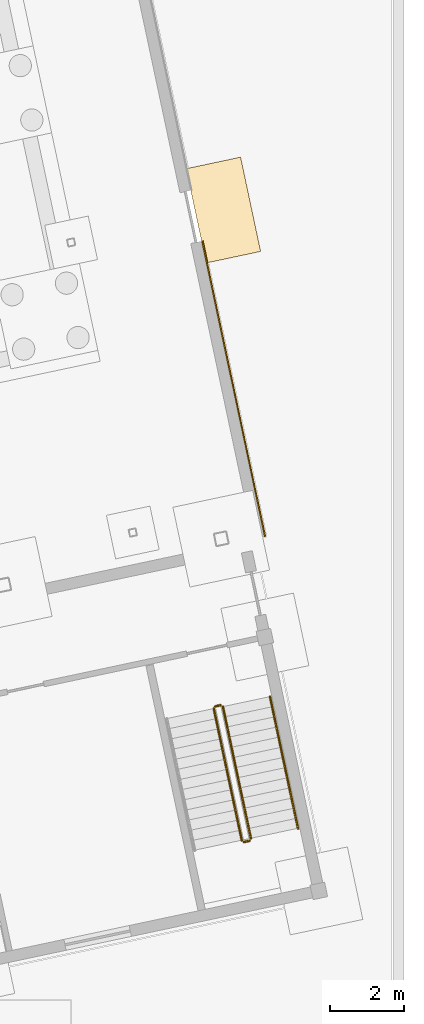
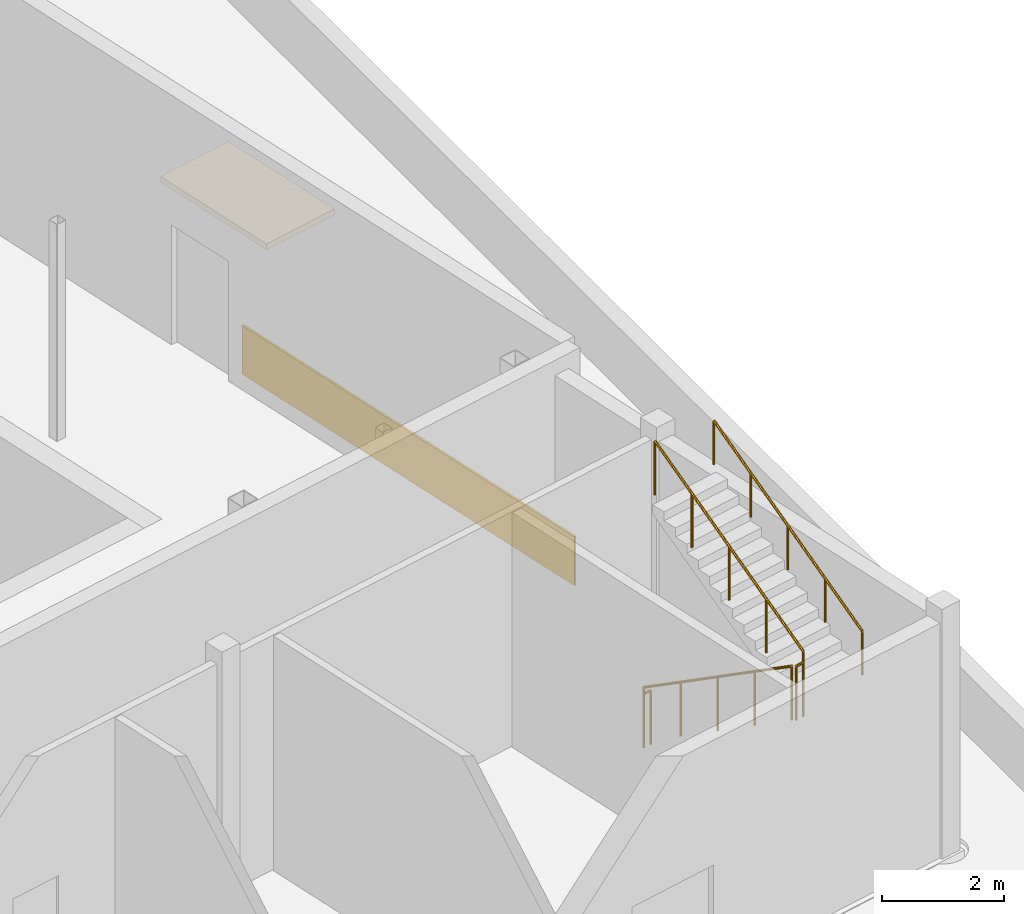
# One storey, part 148 of 157: 5 railings, 2 coverings.
"""IFC4 building model written with IfcOpenShell, lengths in metres."""

from ifc_helpers import new_model, si_unit, direction, frame, origin, origin_2d, place, context, subcontext, project, spatial, polyline, circle, outline, extrude, material, layer, layer_set, type_object, element, save


model = new_model("IFC4")

# Units and contexts
model_context = context("Model", 3, precision=1e-05, world=origin(), true_north=direction((0.0, 1.0)))
body_context = subcontext(model_context, "Body", "Model", "MODEL_VIEW")
ifc_project = project(units=[si_unit("LENGTHUNIT", "METRE"), si_unit("AREAUNIT", "SQUARE_METRE"), si_unit("VOLUMEUNIT", "CUBIC_METRE"), si_unit("PLANEANGLEUNIT", "RADIAN"), si_unit("MASSUNIT", "GRAM", prefix="KILO")], contexts=[model_context])

# Site, building, storey
site_placement = place(None, origin())
site = spatial("IfcSite", under=ifc_project, at=site_placement, CompositionType="ELEMENT")
building_placement = place(site_placement, origin())
building = spatial("IfcBuilding", under=site, at=building_placement, Name="Windward Yard Aquatics Centre", CompositionType="ELEMENT")
storey_placement = place(building_placement, origin())
storey = spatial("IfcBuildingStorey", under=building, at=storey_placement, Name="L00", CompositionType="ELEMENT", Elevation=0.0)

# Railings
ifc_material_1 = material(Name="Stainless steel 1.4529", Category="steel")
railing_type_1 = type_object("IfcRailingType", Name="D Annex stair stair guard", PredefinedType="GUARDRAIL", material=ifc_material_1)
railing_1_placement = place(storey_placement, frame((198.86865234375, 44.8642578125, 0.178466796875)))
element("IfcRailing", 1, at=railing_1_placement, inside=storey, type_object=railing_type_1, Name="L00 D-ST1 stair guard 1", PredefinedType="GUARDRAIL", context=body_context, shape_type="SweptSolid", body=[
    extrude(circle(Radius=0.02392578125, at=origin_2d()), frame((0.0, 0.0, 1.076171875), z_axis=(0.175307802642, -0.82468183417, 0.537742546878), x_axis=(0.978143676638, 0.20793015138, 0.0)), (0.0, 0.0, 1.0), 4.317138671875),
    extrude(circle(Radius=0.02099609375, at=origin_2d()), origin(), (0.0, 0.0, 1.0), 1.052001953125),
    extrude(circle(Radius=0.02099609375, at=origin_2d()), frame((0.189208984375, -0.89013671875, 0.580322265625)), (0.0, 0.0, 1.0), 1.052001953125),
    extrude(circle(Radius=0.02099609375, at=origin_2d()), frame((0.37841796875, -1.7802734375, 1.16064453125)), (0.0, 0.0, 1.0), 1.052001953125),
    extrude(circle(Radius=0.02099609375, at=origin_2d()), frame((0.567626953125, -2.670166015625, 1.7412109375)), (0.0, 0.0, 1.0), 1.052001953125),
    extrude(circle(Radius=0.02099609375, at=origin_2d()), frame((0.7568359375, -3.560302734375, 2.321533203125)), (0.0, 0.0, 1.0), 1.052001953125),
])
railing_2_placement = place(storey_placement, frame((199.684814453125, 41.265380859375, 2.5)))
element("IfcRailing", 2, at=railing_2_placement, inside=storey, type_object=railing_type_1, Name="L00 D-ST1 stair guard 2", PredefinedType="GUARDRAIL", context=body_context, shape_type="SweptSolid", body=[
    extrude(circle(Radius=0.02392578125, at=origin_2d()), frame((0.0, 0.0, 1.076171875), z_axis=(0.978063620518, 0.208306395052, 0.0), x_axis=(-0.208306395052, 0.978063620518, 0.0)), (0.0, 0.0, 1.0), 0.14990234375),
    extrude(circle(Radius=0.02099609375, at=origin_2d()), origin(), (0.0, 0.0, 1.0), 1.052001953125),
    extrude(circle(Radius=0.02099609375, at=origin_2d()), frame((0.146728515625, 0.03125, 0.0)), (0.0, 0.0, 1.0), 1.052001953125),
])
railing_3_placement = place(storey_placement, frame((199.8701171875, 41.35595703125, 2.678466796875)))
element("IfcRailing", 3, at=railing_3_placement, inside=storey, type_object=railing_type_1, Name="L00 D-ST1 stair guard 3", PredefinedType="GUARDRAIL", context=body_context, shape_type="SweptSolid", body=[
    extrude(circle(Radius=0.02392578125, at=origin_2d()), frame((0.0, 0.0, 1.076171875), z_axis=(-0.175307802642, 0.82468183417, 0.537742546878), x_axis=(-0.978143676638, -0.20793015138, 0.0)), (0.0, 0.0, 1.0), 4.317138671875),
    extrude(circle(Radius=0.02099609375, at=origin_2d()), origin(), (0.0, 0.0, 1.0), 1.052001953125),
    extrude(circle(Radius=0.02099609375, at=origin_2d()), frame((-0.189208984375, 0.89013671875, 0.580322265625)), (0.0, 0.0, 1.0), 1.052001953125),
    extrude(circle(Radius=0.02099609375, at=origin_2d()), frame((-0.37841796875, 1.7802734375, 1.16064453125)), (0.0, 0.0, 1.0), 1.052001953125),
    extrude(circle(Radius=0.02099609375, at=origin_2d()), frame((-0.567626953125, 2.670166015625, 1.7412109375)), (0.0, 0.0, 1.0), 1.052001953125),
    extrude(circle(Radius=0.02099609375, at=origin_2d()), frame((-0.7568359375, 3.560302734375, 2.321533203125)), (0.0, 0.0, 1.0), 1.052001953125),
])
railing_4_placement = place(storey_placement, frame((198.9072265625, 44.923583984375, 0.0)))
element("IfcRailing", 4, at=railing_4_placement, inside=storey, type_object=railing_type_1, Name="L00 D-ST1 stair guard 4", PredefinedType="GUARDRAIL", context=body_context, shape_type="SweptSolid", body=[
    extrude(circle(Radius=0.02392578125, at=origin_2d()), frame((0.0, 0.0, 1.076171875), z_axis=(0.978063620518, 0.208306395052, 0.0), x_axis=(-0.208306395052, 0.978063620518, 0.0)), (0.0, 0.0, 1.0), 0.14990234375),
    extrude(circle(Radius=0.02099609375, at=origin_2d()), origin(), (0.0, 0.0, 1.0), 1.052001953125),
    extrude(circle(Radius=0.02099609375, at=origin_2d()), frame((0.146728515625, 0.03125, 0.0)), (0.0, 0.0, 1.0), 1.052001953125),
])
railing_type_2 = type_object("IfcRailingType", Name="D Annex stair stair handrail", PredefinedType="HANDRAIL", material=ifc_material_1)
railing_5_placement = place(storey_placement, frame((201.1416015625, 41.626220703125, 2.678466796875)))
element("IfcRailing", 5, at=railing_5_placement, inside=storey, type_object=railing_type_2, Name="L00 D-ST1 stair handrail 2", PredefinedType="HANDRAIL", context=body_context, shape_type="SweptSolid", body=[
    extrude(circle(Radius=0.02392578125, at=origin_2d()), frame((0.0, 0.0, 0.8759765625), z_axis=(-0.175307802642, 0.82468183417, 0.537742546878), x_axis=(-0.978143676638, -0.20793015138, 0.0)), (0.0, 0.0, 1.0), 4.317138671875),
    extrude(circle(Radius=0.02099609375, at=origin_2d()), origin(), (0.0, 0.0, 1.0), 0.851806640625),
    extrude(circle(Radius=0.02099609375, at=origin_2d()), frame((-0.189208984375, 0.89013671875, 0.580322265625)), (0.0, 0.0, 1.0), 0.851806640625),
    extrude(circle(Radius=0.02099609375, at=origin_2d()), frame((-0.37841796875, 1.7802734375, 1.16064453125)), (0.0, 0.0, 1.0), 0.851806640625),
    extrude(circle(Radius=0.02099609375, at=origin_2d()), frame((-0.567626953125, 2.670166015625, 1.7412109375)), (0.0, 0.0, 1.0), 0.851806640625),
    extrude(circle(Radius=0.02099609375, at=origin_2d()), frame((-0.7568359375, 3.560302734375, 2.321533203125)), (0.0, 0.0, 1.0), 0.851806640625),
])

# Coverings
ifc_material_2 = material(Name="Aluminium standing seam canopy on steel brackets", Category="steel")
ifc_layer_1 = layer(ifc_material_2, 0.1201171875)
ifc_layer_set_1 = layer_set([ifc_layer_1], Name="D entrance canopy aluminium 2600x1500")
covering_type_1 = type_object("IfcCoveringType", Name="D entrance canopy aluminium 2600x1500", PredefinedType="CLADDING", material=ifc_layer_set_1)
covering_1_placement = place(storey_placement, frame((0.0, 0.0, 2.800048828125)))
element("IfcCovering", 6, at=covering_1_placement, inside=storey, type_object=covering_type_1, Name="Entrance canopy D0003", PredefinedType="CLADDING", context=body_context, shape_type="SweptSolid", body=[
    extrude(outline(polyline([(198.12451171875, 59.427978515625), (199.591796875, 59.73974609375), (200.13232421875, 57.196533203125), (198.6650390625, 56.884765625), (198.12451171875, 59.427978515625)])), origin(), (0.0, 0.0, 1.0), 0.119873046875),
])
ifc_material_3 = material(Name="Limestone cladding on stainless steel brackets", Category="masonry")
ifc_layer_2 = layer(ifc_material_3, 0.0400390625)
ifc_layer_set_2 = layer_set([ifc_layer_2], Name="D stone plinth cladding 40")
covering_type_2 = type_object("IfcCoveringType", Name="D stone plinth cladding 40", PredefinedType="CLADDING", material=ifc_layer_set_2)
covering_2_placement = place(storey_placement, origin())
element("IfcCovering", 7, at=covering_2_placement, inside=storey, type_object=covering_type_2, Name="Plinth cladding panel 1", PredefinedType="CLADDING", context=body_context, shape_type="SweptSolid", body=[
    extrude(outline(polyline([(198.540283203125, 57.4716796875), (198.57958984375, 57.47998046875), (200.27392578125, 49.508056640625), (200.23486328125, 49.499755859375), (198.540283203125, 57.4716796875)])), origin(), (0.0, 0.0, 1.0), 0.97998046875),
])

save(model, "model.ifc")
